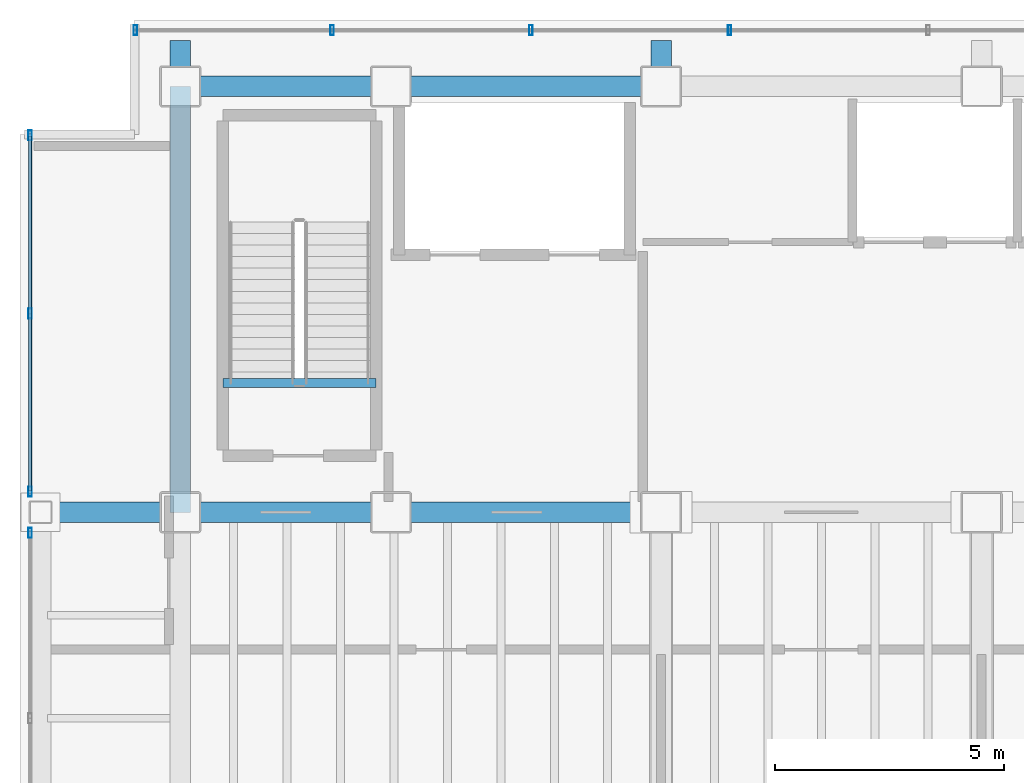
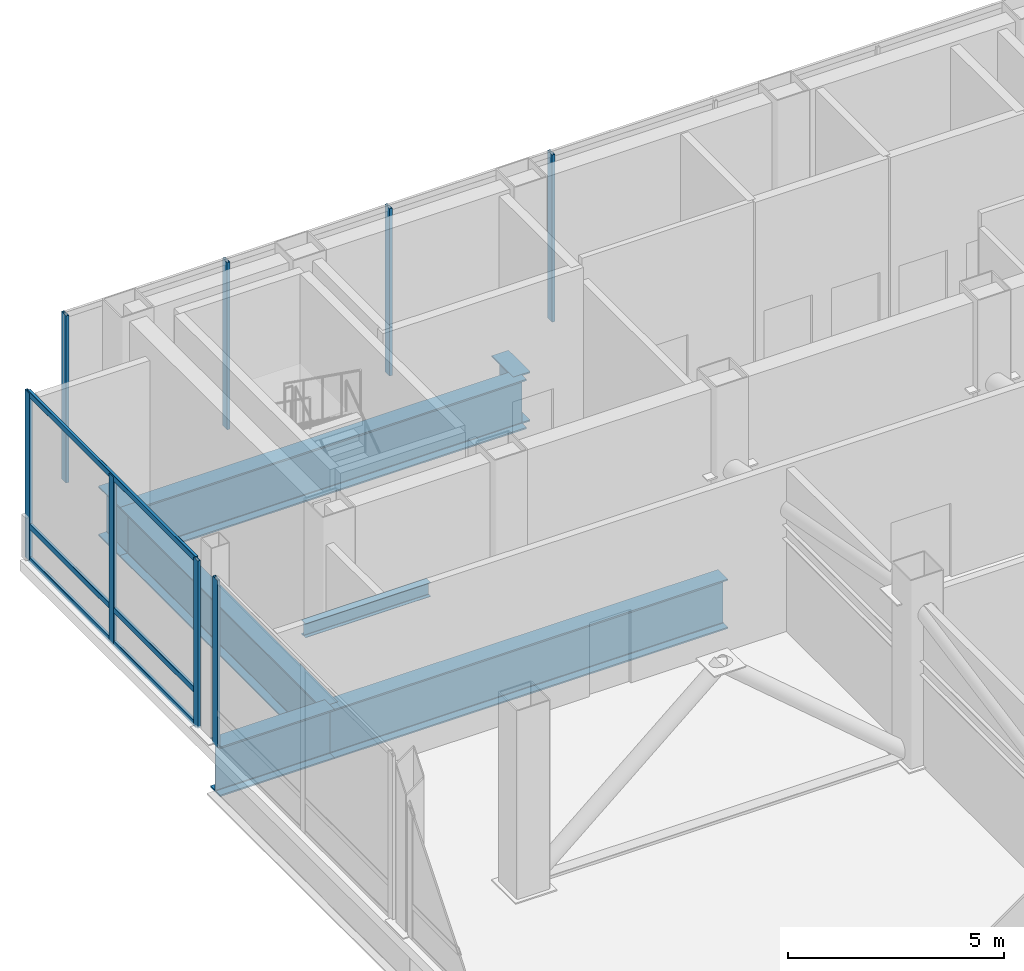
# One storey, part 7 of 18: 11 members, 7 beams, 3 elements without a shape of their own.
"""IFC4 building model written with IfcOpenShell, lengths in metres."""

from ifc_helpers import new_model, si_unit, direction, frame, origin, origin_2d, place, context, subcontext, project, spatial, hollow_rectangle, i_section, extrude, material, material_profile, profile_set, type_object, element, aggregate, save


model = new_model("IFC4")

# Units and contexts
model_context = context("Model", 3, precision=1e-05, world=origin(), true_north=direction((0.0, 1.0)))
body_context = subcontext(model_context, "Body", "Model", "MODEL_VIEW")
ifc_project = project(units=[si_unit("LENGTHUNIT", "METRE"), si_unit("AREAUNIT", "SQUARE_METRE"), si_unit("VOLUMEUNIT", "CUBIC_METRE"), si_unit("PLANEANGLEUNIT", "RADIAN"), si_unit("MASSUNIT", "GRAM", prefix="KILO")], contexts=[model_context])

# Site, building, storey
site_placement = place(None, origin())
site = spatial("IfcSite", under=ifc_project, at=site_placement, CompositionType="ELEMENT")
building_placement = place(site_placement, origin())
building = spatial("IfcBuilding", under=site, at=building_placement, Name="Noeulbin Bourse Tower", CompositionType="ELEMENT")
storey_placement = place(building_placement, frame((0.0, 0.0, 200.699951171875)))
storey = spatial("IfcBuildingStorey", under=building, at=storey_placement, Name="L50", CompositionType="ELEMENT", Elevation=200.699951171875)

# Beams
ifc_material_1 = material(Name="Steel S355", Category="steel")
ifc_material_profile_1 = material_profile(ifc_material_1, i_section(OverallWidth=0.199951171875, OverallDepth=0.39990234375, WebThickness=0.008056640625, FlangeThickness=0.012939453125, FilletRadius=0.01611328125, at=origin_2d()), Name="H-400x200x8x13", Category="LoadBearing")
ifc_profile_set_1 = profile_set([ifc_material_profile_1], Name="Steel S355")
beam_type_1 = type_object("IfcBeamType", Name="BM-SEC-400", PredefinedType="BEAM", material=ifc_profile_set_1)
beam_1_placement = place(storey_placement, frame((14.429931640625, 31.820068359375, -0.199951171875), z_axis=(1.0, 0.0, 0.0), x_axis=(0.0, 1.0, 0.0)))
element("IfcBeam", 1, at=beam_1_placement, inside=storey, type_object=beam_type_1, Name="Stair Threshold Trimmer Beam ST1-L50", PredefinedType="BEAM", context=body_context, shape_type="SweptSolid", body=[
    extrude(i_section(OverallWidth=0.199951171875, OverallDepth=0.39990234375, WebThickness=0.008056640625, FlangeThickness=0.012939453125, FilletRadius=0.01611328125, at=origin_2d()), origin(), (0.0, 0.0, 1.0), 3.340087890625),
])
ifc_material_2 = material(Name="Steel S460", Category="steel")
ifc_material_profile_2 = material_profile(ifc_material_2, i_section(OverallWidth=0.449951171875, OverallDepth=1.39990234375, WebThickness=0.02392578125, FlangeThickness=0.0400390625, FilletRadius=0.02392578125, at=origin_2d()), Name="PG-1400x450x24x40", Category="LoadBearing")
ifc_profile_set_2 = profile_set([ifc_material_profile_2], Name="Steel S460")
beam_type_2 = type_object("IfcBeamType", Name="BM-TRF-1400", PredefinedType="USERDEFINED", material=ifc_profile_set_2)
beam_2_placement = place(storey_placement, frame((10.449951171875, 29.0, -1.0), z_axis=(1.0, 0.0, 0.0), x_axis=(0.0, 1.0, 0.0)))
element("IfcBeam", 2, at=beam_2_placement, inside=storey, type_object=beam_type_2, Name="Tower Primary Girder EW L50-2.1", ObjectType="GIRDER", PredefinedType="USERDEFINED", context=body_context, shape_type="SweptSolid", body=[
    extrude(i_section(OverallWidth=0.449951171875, OverallDepth=1.39990234375, WebThickness=0.02392578125, FlangeThickness=0.0400390625, FilletRadius=0.02392578125, at=origin_2d()), origin(), (0.0, 0.0, 1.0), 3.050048828125),
])
for number, where, z_axis, x_axis, name in (
    (3, (13.5, 29.0, -1.0), (1.0, 0.0, 0.0), (0.0, 1.0, 0.0), "Tower Primary Girder EW L50-2.2"),
    (4, (13.5, 38.300048828125, -1.0), (1.0, 0.0, 0.0), (0.0, 1.0, 0.0), "Tower Primary Girder EW L50-3.1"),
):
    element("IfcBeam", number, at=place(storey_placement, frame(where, z_axis=z_axis, x_axis=x_axis)), inside=storey, type_object=beam_type_2, Name=name, ObjectType="GIRDER", PredefinedType="USERDEFINED", context=body_context, shape_type="SweptSolid", body=[
        extrude(i_section(OverallWidth=0.449951171875, OverallDepth=1.39990234375, WebThickness=0.02392578125, FlangeThickness=0.0400390625, FilletRadius=0.02392578125, at=origin_2d()), origin(), (0.0, 0.0, 1.0), 10.5),
    ])
beam_3_placement = place(storey_placement, frame((13.5, 29.0, -1.0), z_axis=(0.0, 1.0, 0.0), x_axis=(-1.0, 0.0, 0.0)))
element("IfcBeam", 5, at=beam_3_placement, inside=storey, type_object=beam_type_2, Name="Tower Primary Girder NS L50-1.3", ObjectType="GIRDER", PredefinedType="USERDEFINED", context=body_context, shape_type="SweptSolid", body=[
    extrude(i_section(OverallWidth=0.449951171875, OverallDepth=1.39990234375, WebThickness=0.02392578125, FlangeThickness=0.0400390625, FilletRadius=0.02392578125, at=origin_2d()), origin(), (0.0, 0.0, 1.0), 9.300048828125),
])
for number, where, z_axis, x_axis, name in (
    (6, (13.5, 38.300048828125, -1.0), (0.0, 1.0, 0.0), (-1.0, 0.0, 0.0), "Tower Primary Girder NS L50-1.4"),
    (7, (24.0, 38.300048828125, -1.0), (0.0, 1.0, 0.0), (-1.0, 0.0, 0.0), "Tower Primary Girder NS L50-2.4"),
):
    element("IfcBeam", number, at=place(storey_placement, frame(where, z_axis=z_axis, x_axis=x_axis)), inside=storey, type_object=beam_type_2, Name=name, ObjectType="GIRDER", PredefinedType="USERDEFINED", context=body_context, shape_type="SweptSolid", body=[
        extrude(i_section(OverallWidth=0.449951171875, OverallDepth=1.39990234375, WebThickness=0.02392578125, FlangeThickness=0.0400390625, FilletRadius=0.02392578125, at=origin_2d()), origin(), (0.0, 0.0, 1.0), 1.0),
    ])

# Curtain wall, members
ifc_material_3 = material(Name="Translucent Ceramic-Fritted Glass", Category="glass")
curtain_wall_type = type_object("IfcCurtainWallType", Name="CW-SYS-5", PredefinedType="NOTDEFINED", material=ifc_material_3)
curtain_wall_1_placement = place(storey_placement, origin())
curtain_wall_1 = element("IfcCurtainWall", 8, at=curtain_wall_1_placement, inside=storey, type_object=curtain_wall_type, Name="Unitised Curtain Wall CW-L50-N", PredefinedType="NOTDEFINED")
ifc_material_4 = material(Name="Anodised Aluminium 6063-T6", Category="aluminium")
ifc_material_profile_3 = material_profile(ifc_material_4, hollow_rectangle(XDim=0.074951171875, YDim=0.219970703125, WallThickness=0.0048828125, InnerFilletRadius=0.00244140625, OuterFilletRadius=0.0048828125, at=origin_2d()), Name="ALU-MULL-75x220x5", Category="LoadBearing")
ifc_profile_set_3 = profile_set([ifc_material_profile_3], Name="Anodised Aluminium 6063-T6")
member_type_1 = type_object("IfcMemberType", Name="CW-SYS-5-MUL", PredefinedType="MULLION", material=ifc_profile_set_3)
member_1_placement = place(storey_placement, frame((12.52001953125, 39.530029296875, -0.02001953125), z_axis=(0.0, 0.0, 1.0), x_axis=(1.0, 0.0, 0.0)))
member_1 = element("IfcMember", 9, at=member_1_placement, type_object=member_type_1, Name="Curtain Wall Mullion CW-L50-N-M00", PredefinedType="MULLION", context=body_context, shape_type="SweptSolid", body=[
    extrude(hollow_rectangle(XDim=0.074951171875, YDim=0.219970703125, WallThickness=0.0048828125, InnerFilletRadius=0.00244140625, OuterFilletRadius=0.0048828125, at=origin_2d()), origin(), (0.0, 0.0, 1.0), 4.719970703125),
])
member_2_placement = place(storey_placement, frame((16.81787109375, 39.530029296875, -0.02001953125), z_axis=(0.0, 0.0, 1.0), x_axis=(1.0, 0.0, 0.0)))
member_2 = element("IfcMember", 10, at=member_2_placement, type_object=member_type_1, Name="Curtain Wall Mullion CW-L50-N-M01", PredefinedType="MULLION", context=body_context, shape_type="SweptSolid", body=[
    extrude(hollow_rectangle(XDim=0.074951171875, YDim=0.219970703125, WallThickness=0.0048828125, InnerFilletRadius=0.00244140625, OuterFilletRadius=0.0048828125, at=origin_2d()), origin(), (0.0, 0.0, 1.0), 4.719970703125),
])
member_3_placement = place(storey_placement, frame((21.155517578125, 39.530029296875, -0.02001953125), z_axis=(0.0, 0.0, 1.0), x_axis=(1.0, 0.0, 0.0)))
member_3 = element("IfcMember", 11, at=member_3_placement, type_object=member_type_1, Name="Curtain Wall Mullion CW-L50-N-M02", PredefinedType="MULLION", context=body_context, shape_type="SweptSolid", body=[
    extrude(hollow_rectangle(XDim=0.074951171875, YDim=0.219970703125, WallThickness=0.0048828125, InnerFilletRadius=0.00244140625, OuterFilletRadius=0.0048828125, at=origin_2d()), origin(), (0.0, 0.0, 1.0), 4.719970703125),
])
member_4_placement = place(storey_placement, frame((25.493408203125, 39.530029296875, -0.02001953125), z_axis=(0.0, 0.0, 1.0), x_axis=(1.0, 0.0, 0.0)))
member_4 = element("IfcMember", 12, at=member_4_placement, type_object=member_type_1, Name="Curtain Wall Mullion CW-L50-N-M03", PredefinedType="MULLION", context=body_context, shape_type="SweptSolid", body=[
    extrude(hollow_rectangle(XDim=0.074951171875, YDim=0.219970703125, WallThickness=0.0048828125, InnerFilletRadius=0.00244140625, OuterFilletRadius=0.0048828125, at=origin_2d()), origin(), (0.0, 0.0, 1.0), 4.719970703125),
])
aggregate(curtain_wall_1, [member_1, member_2, member_3, member_4])

# Curtain wall, member
curtain_wall_2_placement = place(storey_placement, origin())
curtain_wall_2 = element("IfcCurtainWall", 13, at=curtain_wall_2_placement, inside=storey, type_object=curtain_wall_type, Name="Unitised Curtain Wall CW-L50-W-S2", PredefinedType="NOTDEFINED")
member_5_placement = place(storey_placement, frame((10.219970703125, 28.550048828125, -0.02001953125), z_axis=(0.0, 0.0, 1.0), x_axis=(1.0, 0.0, 0.0)))
member_5 = element("IfcMember", 14, at=member_5_placement, type_object=member_type_1, Name="Curtain Wall Mullion CW-L50-W-S2-M02", PredefinedType="MULLION", context=body_context, shape_type="SweptSolid", body=[
    extrude(hollow_rectangle(XDim=0.074951171875, YDim=0.219970703125, WallThickness=0.0048828125, InnerFilletRadius=0.00244140625, OuterFilletRadius=0.0048828125, at=origin_2d()), origin(), (0.0, 0.0, 1.0), 4.719970703125),
])
aggregate(curtain_wall_2, [member_5])

# Curtain wall, members
curtain_wall_3_placement = place(storey_placement, origin())
curtain_wall_3 = element("IfcCurtainWall", 15, at=curtain_wall_3_placement, inside=storey, type_object=curtain_wall_type, Name="Unitised Curtain Wall CW-L50-W-S3", PredefinedType="NOTDEFINED")
member_6_placement = place(storey_placement, frame((10.219970703125, 29.449951171875, -0.02001953125), z_axis=(0.0, 0.0, 1.0), x_axis=(1.0, 0.0, 0.0)))
member_6 = element("IfcMember", 16, at=member_6_placement, type_object=member_type_1, Name="Curtain Wall Mullion CW-L50-W-S3-M00", PredefinedType="MULLION", context=body_context, shape_type="SweptSolid", body=[
    extrude(hollow_rectangle(XDim=0.074951171875, YDim=0.219970703125, WallThickness=0.0048828125, InnerFilletRadius=0.00244140625, OuterFilletRadius=0.0048828125, at=origin_2d()), origin(), (0.0, 0.0, 1.0), 4.719970703125),
])
member_7_placement = place(storey_placement, frame((10.219970703125, 33.340087890625, -0.02001953125), z_axis=(0.0, 0.0, 1.0), x_axis=(1.0, 0.0, 0.0)))
member_7 = element("IfcMember", 17, at=member_7_placement, type_object=member_type_1, Name="Curtain Wall Mullion CW-L50-W-S3-M01", PredefinedType="MULLION", context=body_context, shape_type="SweptSolid", body=[
    extrude(hollow_rectangle(XDim=0.074951171875, YDim=0.219970703125, WallThickness=0.0048828125, InnerFilletRadius=0.00244140625, OuterFilletRadius=0.0048828125, at=origin_2d()), origin(), (0.0, 0.0, 1.0), 4.719970703125),
])
member_8_placement = place(storey_placement, frame((10.219970703125, 37.22998046875, -0.02001953125), z_axis=(0.0, 0.0, 1.0), x_axis=(1.0, 0.0, 0.0)))
member_8 = element("IfcMember", 18, at=member_8_placement, type_object=member_type_1, Name="Curtain Wall Mullion CW-L50-W-S3-M02", PredefinedType="MULLION", context=body_context, shape_type="SweptSolid", body=[
    extrude(hollow_rectangle(XDim=0.074951171875, YDim=0.219970703125, WallThickness=0.0048828125, InnerFilletRadius=0.00244140625, OuterFilletRadius=0.0048828125, at=origin_2d()), origin(), (0.0, 0.0, 1.0), 4.719970703125),
])
ifc_material_profile_4 = material_profile(ifc_material_4, hollow_rectangle(XDim=0.074951171875, YDim=0.159912109375, WallThickness=0.0048828125, InnerFilletRadius=0.00244140625, OuterFilletRadius=0.0048828125, at=origin_2d()), Name="ALU-TRAN-75x160x5", Category="LoadBearing")
ifc_profile_set_4 = profile_set([ifc_material_profile_4], Name="Anodised Aluminium 6063-T6")
member_type_2 = type_object("IfcMemberType", Name="CW-SYS-5-TRN", PredefinedType="USERDEFINED", material=ifc_profile_set_4)
member_9_placement = place(storey_placement, frame((10.219970703125, 29.4599609375, 0.010009765625), z_axis=(0.0, 1.0, 0.0), x_axis=(-1.0, 0.0, 0.0)))
member_9 = element("IfcMember", 19, at=member_9_placement, type_object=member_type_2, Name="Curtain Wall Transom CW-L50-W-S3-T00", ObjectType="TRANSOM", PredefinedType="USERDEFINED", context=body_context, shape_type="SweptSolid", body=[
    extrude(hollow_rectangle(XDim=0.074951171875, YDim=0.159912109375, WallThickness=0.0048828125, InnerFilletRadius=0.00244140625, OuterFilletRadius=0.0048828125, at=origin_2d()), origin(), (0.0, 0.0, 1.0), 7.760009765625),
])
member_10_placement = place(storey_placement, frame((10.219970703125, 29.4599609375, 0.949951171875), z_axis=(0.0, 1.0, 0.0), x_axis=(-1.0, 0.0, 0.0)))
member_10 = element("IfcMember", 20, at=member_10_placement, type_object=member_type_2, Name="Curtain Wall Transom CW-L50-W-S3-T01", ObjectType="TRANSOM", PredefinedType="USERDEFINED", context=body_context, shape_type="SweptSolid", body=[
    extrude(hollow_rectangle(XDim=0.074951171875, YDim=0.159912109375, WallThickness=0.0048828125, InnerFilletRadius=0.00244140625, OuterFilletRadius=0.0048828125, at=origin_2d()), origin(), (0.0, 0.0, 1.0), 7.760009765625),
])
member_11_placement = place(storey_placement, frame((10.219970703125, 29.4599609375, 4.670166015625), z_axis=(0.0, 1.0, 0.0), x_axis=(-1.0, 0.0, 0.0)))
member_11 = element("IfcMember", 21, at=member_11_placement, type_object=member_type_2, Name="Curtain Wall Transom CW-L50-W-S3-T02", ObjectType="TRANSOM", PredefinedType="USERDEFINED", context=body_context, shape_type="SweptSolid", body=[
    extrude(hollow_rectangle(XDim=0.074951171875, YDim=0.159912109375, WallThickness=0.0048828125, InnerFilletRadius=0.00244140625, OuterFilletRadius=0.0048828125, at=origin_2d()), origin(), (0.0, 0.0, 1.0), 7.760009765625),
])
aggregate(curtain_wall_3, [member_6, member_7, member_8, member_9, member_10, member_11])

save(model, "model.ifc")
